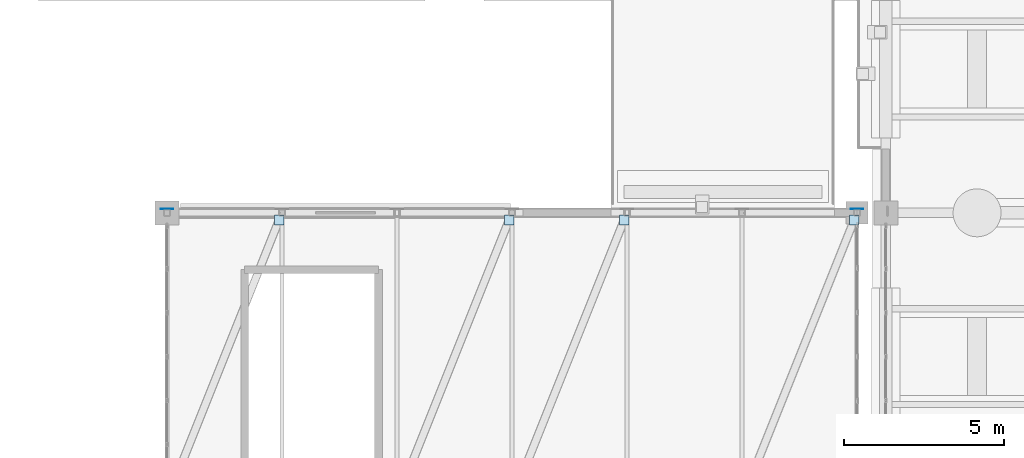
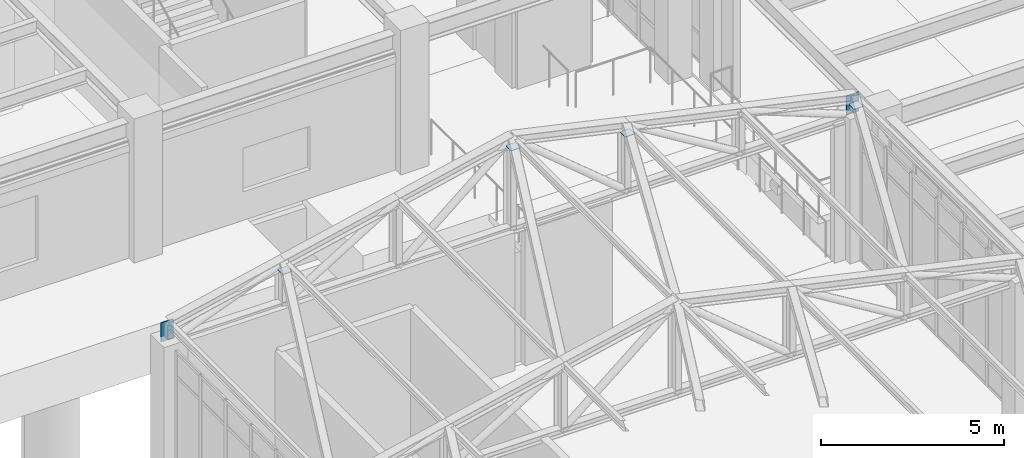
# One storey, part 109 of 139: 6 plates.
"""IFC4 building model written with IfcOpenShell, lengths in metres."""

from ifc_helpers import new_model, si_unit, direction, frame, origin, origin_2d, place, context, subcontext, project, spatial, rectangle, extrude, material, layer, layer_set, type_object, element, save


model = new_model("IFC4")

# Units and contexts
model_context = context("Model", 3, precision=1e-05, world=origin(), true_north=direction((0.0, 1.0)))
body_context = subcontext(model_context, "Body", "Model", "MODEL_VIEW")
ifc_project = project(units=[si_unit("LENGTHUNIT", "METRE"), si_unit("AREAUNIT", "SQUARE_METRE"), si_unit("VOLUMEUNIT", "CUBIC_METRE"), si_unit("PLANEANGLEUNIT", "RADIAN"), si_unit("MASSUNIT", "GRAM", prefix="KILO")], contexts=[model_context])

# Site, building, storey
site_placement = place(None, origin())
site = spatial("IfcSite", under=ifc_project, at=site_placement, CompositionType="ELEMENT")
building_placement = place(site_placement, origin())
building = spatial("IfcBuilding", under=site, at=building_placement, Name="Canglan Escarpment Cableway Terminal", CompositionType="ELEMENT")
storey_placement = place(building_placement, frame((0.0, 0.0, 14.39990234375)))
storey = spatial("IfcBuildingStorey", under=building, at=storey_placement, Name="L03", CompositionType="ELEMENT", Elevation=14.39990234375)

# Plates
ifc_material = material(Name="Steel Q355B", Category="steel")
ifc_layer_1 = layer(ifc_material, 0.01611328125, Name="Steel Q355B")
ifc_layer_set_1 = layer_set([ifc_layer_1], Name="Steel Q355B")
plate_type_1 = type_object("IfcPlateType", Name="PLT-GUSSET-16", PredefinedType="USERDEFINED", material=ifc_layer_set_1)
for number, where, z_axis, x_axis, name in (
    (1, (118.61083984375, 78.777099609375, 5.912109375), (0.0, 0.0, 1.0), (1.0, 0.0, 0.0), "Cabin Garage roof brace end gusset plate GP-03"),
    (2, (125.810791015625, 78.777099609375, 7.511962890625), (0.0, 0.0, 1.0), (1.0, 0.0, 0.0), "Cabin Garage roof brace end gusset plate GP-03"),
    (3, (129.410888671875, 78.777099609375, 6.712158203125), (0.0, 0.0, 1.0), (1.0, 0.0, 0.0), "Cabin Garage roof brace end gusset plate GP-03"),
    (4, (136.61083984375, 78.777099609375, 5.112060546875), (0.0, 0.0, 1.0), (1.0, 0.0, 0.0), "Cabin Garage roof brace end gusset plate GP-03"),
):
    element("IfcPlate", number, at=place(storey_placement, frame(where, z_axis=z_axis, x_axis=x_axis)), inside=storey, type_object=plate_type_1, Name=name, ObjectType="GUSSET PLATE", PredefinedType="USERDEFINED", context=body_context, shape_type="SweptSolid", body=[
        extrude(rectangle(XDim=0.300048828125, YDim=0.300048828125, at=origin_2d()), origin(), (0.0, 0.0, 1.0), 0.01611328125),
    ])
ifc_layer_2 = layer(ifc_material, 0.02001953125, Name="Steel Q355B")
ifc_layer_set_2 = layer_set([ifc_layer_2], Name="Steel Q355B")
plate_type_2 = type_object("IfcPlateType", Name="PLT-GUSSET-20", PredefinedType="USERDEFINED", material=ifc_layer_set_2)
for number, where, z_axis, x_axis, name in (
    (5, (115.10009765625, 79.114990234375, 4.63037109375), (0.0, 0.0, 1.0), (1.0, 0.0, 0.0), "Pratt truss gusset plate GP-02"),
    (6, (136.699951171875, 79.114990234375, 4.63037109375), (0.0, 0.0, 1.0), (1.0, 0.0, 0.0), "Pratt truss gusset plate GP-02"),
):
    element("IfcPlate", number, at=place(storey_placement, frame(where, z_axis=z_axis, x_axis=x_axis)), inside=storey, type_object=plate_type_2, Name=name, ObjectType="GUSSET PLATE", PredefinedType="USERDEFINED", context=body_context, shape_type="SweptSolid", body=[
        extrude(rectangle(XDim=0.39990234375, YDim=0.02001953125, at=origin_2d()), origin(), (0.0, 0.0, 1.0), 0.639892578125),
    ])

save(model, "model.ifc")
